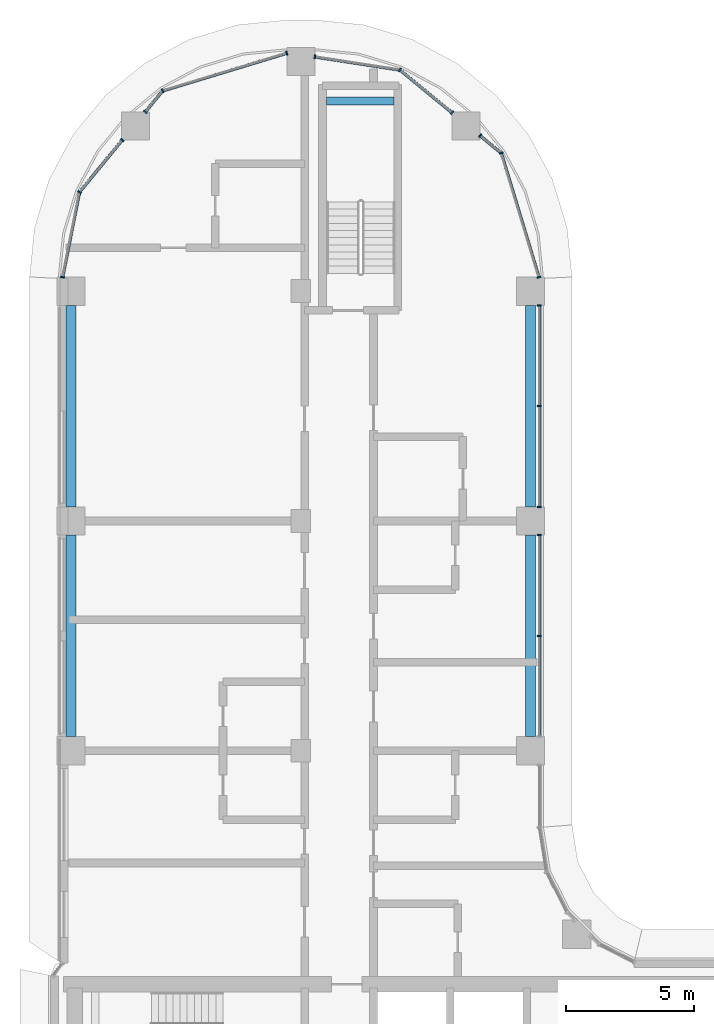
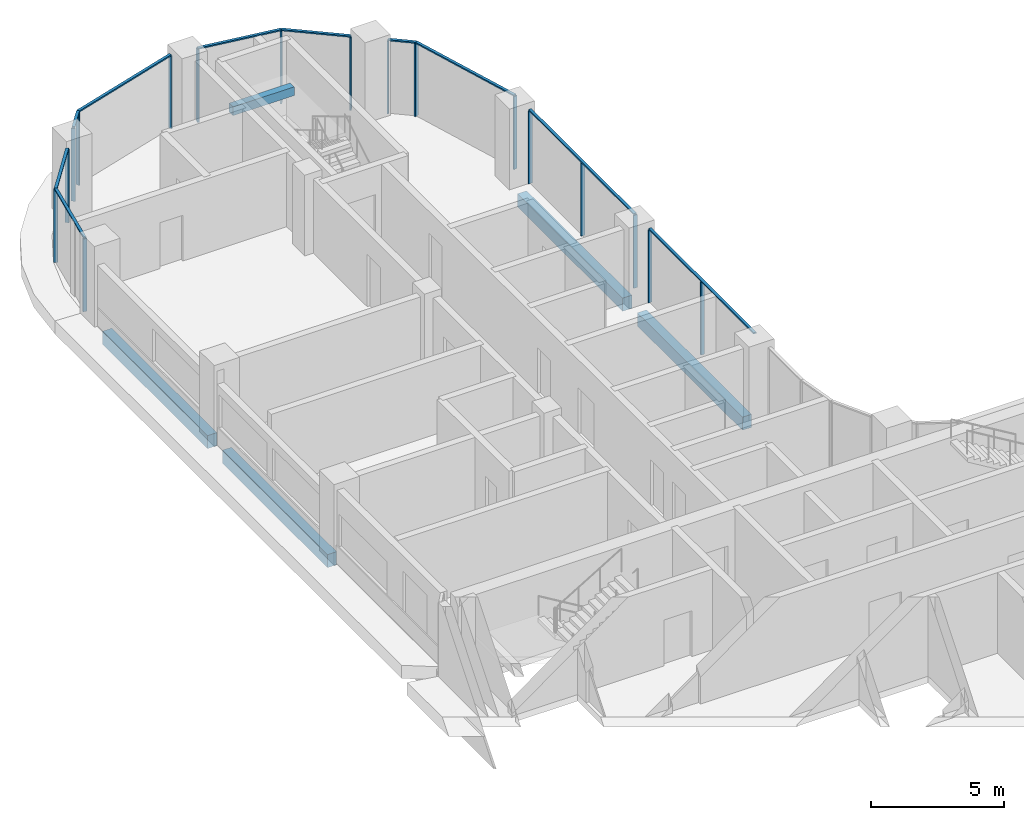
# One storey, part 5 of 24: 27 members, 5 beams, 6 elements without a shape of their own.
"""IFC4 building model written with IfcOpenShell, lengths in metres."""

from ifc_helpers import new_model, si_unit, direction, frame, origin, origin_2d, place, context, subcontext, project, spatial, rectangle, extrude, material, material_profile, profile_set, type_object, element, aggregate, save


model = new_model("IFC4")

# Units and contexts
model_context = context("Model", 3, precision=1e-05, world=origin(), true_north=direction((0.0, 1.0)))
body_context = subcontext(model_context, "Body", "Model", "MODEL_VIEW")
ifc_project = project(units=[si_unit("LENGTHUNIT", "METRE"), si_unit("AREAUNIT", "SQUARE_METRE"), si_unit("VOLUMEUNIT", "CUBIC_METRE"), si_unit("PLANEANGLEUNIT", "RADIAN"), si_unit("MASSUNIT", "GRAM", prefix="KILO")], contexts=[model_context])

# Site, building, storey
site_placement = place(None, origin())
site = spatial("IfcSite", under=ifc_project, at=site_placement, CompositionType="ELEMENT")
building_placement = place(site_placement, origin())
building = spatial("IfcBuilding", under=site, at=building_placement, Name="Ogive Portal Towers", CompositionType="ELEMENT")
storey_placement = place(building_placement, frame((0.0, 0.0, 153.300048828125)))
storey = spatial("IfcBuildingStorey", under=building, at=storey_placement, Name="L37", CompositionType="ELEMENT", Elevation=153.300048828125)

# Beam
ifc_material_1 = material(Name="Concrete C40/50", Category="concrete")
ifc_material_profile_1 = material_profile(ifc_material_1, rectangle(XDim=0.300048828125, YDim=0.39990234375, at=origin_2d()), Name="RC 300x400")
ifc_profile_set_1 = profile_set([ifc_material_profile_1], Name="Concrete C40/50")
beam_type_1 = type_object("IfcBeamType", Name="BEAM RC 300x400", PredefinedType="BEAM", material=ifc_profile_set_1)
beam_placement = place(storey_placement, frame((41.5, 73.949951171875, 1.449951171875), z_axis=(1.0, 0.0, 0.0), x_axis=(0.0, 1.0, 0.0)))
element("IfcBeam", 1, at=beam_placement, inside=storey, type_object=beam_type_1, Name="Landing beam L37", PredefinedType="BEAM", context=body_context, shape_type="SweptSolid", body=[
    extrude(rectangle(XDim=0.300048828125, YDim=0.39990234375, at=origin_2d()), origin(), (0.0, 0.0, 1.0), 2.64990234375),
])

# Curtain wall, members
ifc_material_2 = material(Name="Glass, clear low-iron insulated glazing", Category="glass")
curtain_wall_type = type_object("IfcCurtainWallType", Name="CW FRONT RIBBON 4500", PredefinedType="NOTDEFINED", material=ifc_material_2)
curtain_wall_1_placement = place(storey_placement, origin())
curtain_wall_1 = element("IfcCurtainWall", 2, at=curtain_wall_1_placement, inside=storey, type_object=curtain_wall_type, Name="A:L37:f06:cw0~1", PredefinedType="NOTDEFINED")
ifc_material_3 = material(Name="Aluminium 6063 anodised", Category="aluminium")
ifc_material_profile_2 = material_profile(ifc_material_3, rectangle(XDim=0.159912109375, YDim=0.06005859375, at=origin_2d()), Name="AL 60x160")
ifc_profile_set_2 = profile_set([ifc_material_profile_2], Name="Aluminium 6063 anodised")
member_type_1 = type_object("IfcMemberType", Name="CW MULLION 60x160", PredefinedType="MULLION", material=ifc_profile_set_2)
member_1_placement = place(storey_placement, frame((49.844970703125, 53.0, 0.0), z_axis=(0.0, 0.0, 1.0), x_axis=(-1.0, 0.0, 0.0)))
member_1 = element("IfcMember", 3, at=member_1_placement, type_object=member_type_1, Name="mullion", PredefinedType="MULLION", context=body_context, shape_type="SweptSolid", body=[
    extrude(rectangle(XDim=0.159912109375, YDim=0.06005859375, at=origin_2d()), origin(), (0.0, 0.0, 1.0), 3.33984375),
])
member_2_placement = place(storey_placement, frame((49.844970703125, 56.949951171875, 0.0), z_axis=(0.0, 0.0, 1.0), x_axis=(-1.0, 0.0, 0.0)))
member_2 = element("IfcMember", 4, at=member_2_placement, type_object=member_type_1, Name="mullion", PredefinedType="MULLION", context=body_context, shape_type="SweptSolid", body=[
    extrude(rectangle(XDim=0.159912109375, YDim=0.06005859375, at=origin_2d()), origin(), (0.0, 0.0, 1.0), 3.33984375),
])

curtain_wall_2_placement = place(storey_placement, origin())
curtain_wall_2 = element("IfcCurtainWall", 5, at=curtain_wall_2_placement, inside=storey, type_object=curtain_wall_type, Name="A:L37:f06:cw0~2", PredefinedType="NOTDEFINED")
member_3_placement = place(storey_placement, frame((49.844970703125, 58.050048828125, 0.0), z_axis=(0.0, 0.0, 1.0), x_axis=(-1.0, 0.0, 0.0)))
member_3 = element("IfcMember", 6, at=member_3_placement, type_object=member_type_1, Name="mullion", PredefinedType="MULLION", context=body_context, shape_type="SweptSolid", body=[
    extrude(rectangle(XDim=0.159912109375, YDim=0.06005859375, at=origin_2d()), origin(), (0.0, 0.0, 1.0), 3.33984375),
])
member_4_placement = place(storey_placement, frame((49.844970703125, 62.0, 0.0), z_axis=(0.0, 0.0, 1.0), x_axis=(-1.0, 0.0, 0.0)))
member_4 = element("IfcMember", 7, at=member_4_placement, type_object=member_type_1, Name="mullion", PredefinedType="MULLION", context=body_context, shape_type="SweptSolid", body=[
    extrude(rectangle(XDim=0.159912109375, YDim=0.06005859375, at=origin_2d()), origin(), (0.0, 0.0, 1.0), 3.33984375),
])
member_5_placement = place(storey_placement, frame((49.844970703125, 65.949951171875, 0.0), z_axis=(0.0, 0.0, 1.0), x_axis=(-1.0, 0.0, 0.0)))
member_5 = element("IfcMember", 8, at=member_5_placement, type_object=member_type_1, Name="mullion", PredefinedType="MULLION", context=body_context, shape_type="SweptSolid", body=[
    extrude(rectangle(XDim=0.159912109375, YDim=0.06005859375, at=origin_2d()), origin(), (0.0, 0.0, 1.0), 3.33984375),
])

curtain_wall_3_placement = place(storey_placement, origin())
curtain_wall_3 = element("IfcCurtainWall", 9, at=curtain_wall_3_placement, inside=storey, type_object=curtain_wall_type, Name="A:L37:f07:cwa~0", PredefinedType="NOTDEFINED")
member_6_placement = place(storey_placement, frame((49.826171875, 67.050048828125, 0.0), z_axis=(0.0, 0.0, 1.0), x_axis=(-0.956940335732, -0.290284677254, 0.0)))
member_6 = element("IfcMember", 10, at=member_6_placement, type_object=member_type_1, Name="mullion", PredefinedType="MULLION", context=body_context, shape_type="SweptSolid", body=[
    extrude(rectangle(XDim=0.159912109375, YDim=0.06005859375, at=origin_2d()), origin(), (0.0, 0.0, 1.0), 3.33984375),
])
member_7_placement = place(storey_placement, frame((48.351318359375, 71.912109375, 0.0), z_axis=(0.0, 0.0, 1.0), x_axis=(-0.956940335732, -0.290284677254, 0.0)))
member_7 = element("IfcMember", 11, at=member_7_placement, type_object=member_type_1, Name="mullion", PredefinedType="MULLION", context=body_context, shape_type="SweptSolid", body=[
    extrude(rectangle(XDim=0.159912109375, YDim=0.06005859375, at=origin_2d()), origin(), (0.0, 0.0, 1.0), 3.33984375),
])
member_8_placement = place(storey_placement, frame((47.52294921875, 72.591796875, 0.0), z_axis=(0.0, 0.0, 1.0), x_axis=(-0.634393284164, -0.773010453363, 0.0)))
member_8 = element("IfcMember", 12, at=member_8_placement, type_object=member_type_1, Name="mullion", PredefinedType="MULLION", context=body_context, shape_type="SweptSolid", body=[
    extrude(rectangle(XDim=0.159912109375, YDim=0.06005859375, at=origin_2d()), origin(), (0.0, 0.0, 1.0), 3.33984375),
])

curtain_wall_4_placement = place(storey_placement, origin())
curtain_wall_4 = element("IfcCurtainWall", 13, at=curtain_wall_4_placement, inside=storey, type_object=curtain_wall_type, Name="A:L37:f07:cwa~1", PredefinedType="NOTDEFINED")
member_9_placement = place(storey_placement, frame((46.423095703125, 73.49462890625, 0.0), z_axis=(0.0, 0.0, 1.0), x_axis=(-0.634393284164, -0.773010453363, 0.0)))
member_9 = element("IfcMember", 14, at=member_9_placement, type_object=member_type_1, Name="mullion", PredefinedType="MULLION", context=body_context, shape_type="SweptSolid", body=[
    extrude(rectangle(XDim=0.159912109375, YDim=0.06005859375, at=origin_2d()), origin(), (0.0, 0.0, 1.0), 3.33984375),
])
member_10_placement = place(storey_placement, frame((44.381591796875, 75.169921875, 0.0), z_axis=(0.0, 0.0, 1.0), x_axis=(-0.634393284164, -0.773010453363, 0.0)))
member_10 = element("IfcMember", 15, at=member_10_placement, type_object=member_type_1, Name="mullion", PredefinedType="MULLION", context=body_context, shape_type="SweptSolid", body=[
    extrude(rectangle(XDim=0.159912109375, YDim=0.06005859375, at=origin_2d()), origin(), (0.0, 0.0, 1.0), 3.33984375),
])
member_11_placement = place(storey_placement, frame((41.050048828125, 75.6826171875, 0.0), z_axis=(0.0, 0.0, 1.0), x_axis=(-0.15207363432, -0.988369166731, 0.0)))
member_11 = element("IfcMember", 16, at=member_11_placement, type_object=member_type_1, Name="mullion", PredefinedType="MULLION", context=body_context, shape_type="SweptSolid", body=[
    extrude(rectangle(XDim=0.159912109375, YDim=0.06005859375, at=origin_2d()), origin(), (0.0, 0.0, 1.0), 3.33984375),
])

curtain_wall_5_placement = place(storey_placement, origin())
curtain_wall_5 = element("IfcCurtainWall", 17, at=curtain_wall_5_placement, inside=storey, type_object=curtain_wall_type, Name="A:L37:f07:cwa~2", PredefinedType="NOTDEFINED")
member_12_placement = place(storey_placement, frame((39.949951171875, 75.826171875, 0.0), z_axis=(0.0, 0.0, 1.0), x_axis=(0.290284677254, -0.956940335732, 0.0)))
member_12 = element("IfcMember", 18, at=member_12_placement, type_object=member_type_1, Name="mullion", PredefinedType="MULLION", context=body_context, shape_type="SweptSolid", body=[
    extrude(rectangle(XDim=0.159912109375, YDim=0.06005859375, at=origin_2d()), origin(), (0.0, 0.0, 1.0), 3.33984375),
])
member_13_placement = place(storey_placement, frame((35.087890625, 74.351318359375, 0.0), z_axis=(0.0, 0.0, 1.0), x_axis=(0.290284677254, -0.956940335732, 0.0)))
member_13 = element("IfcMember", 19, at=member_13_placement, type_object=member_type_1, Name="mullion", PredefinedType="MULLION", context=body_context, shape_type="SweptSolid", body=[
    extrude(rectangle(XDim=0.159912109375, YDim=0.06005859375, at=origin_2d()), origin(), (0.0, 0.0, 1.0), 3.33984375),
])
member_14_placement = place(storey_placement, frame((34.408203125, 73.52294921875, 0.0), z_axis=(0.0, 0.0, 1.0), x_axis=(0.773010453363, -0.634393284164, 0.0)))
member_14 = element("IfcMember", 20, at=member_14_placement, type_object=member_type_1, Name="mullion", PredefinedType="MULLION", context=body_context, shape_type="SweptSolid", body=[
    extrude(rectangle(XDim=0.159912109375, YDim=0.06005859375, at=origin_2d()), origin(), (0.0, 0.0, 1.0), 3.33984375),
])

curtain_wall_6_placement = place(storey_placement, origin())
curtain_wall_6 = element("IfcCurtainWall", 21, at=curtain_wall_6_placement, inside=storey, type_object=curtain_wall_type, Name="A:L37:f07:cwa~3", PredefinedType="NOTDEFINED")
member_15_placement = place(storey_placement, frame((33.50537109375, 72.423095703125, 0.0), z_axis=(0.0, 0.0, 1.0), x_axis=(0.773010453363, -0.634393284164, 0.0)))
member_15 = element("IfcMember", 22, at=member_15_placement, type_object=member_type_1, Name="mullion", PredefinedType="MULLION", context=body_context, shape_type="SweptSolid", body=[
    extrude(rectangle(XDim=0.159912109375, YDim=0.06005859375, at=origin_2d()), origin(), (0.0, 0.0, 1.0), 3.33984375),
])
member_16_placement = place(storey_placement, frame((31.828857421875, 70.380126953125, 0.0), z_axis=(0.0, 0.0, 1.0), x_axis=(0.773010453363, -0.634393284164, 0.0)))
member_16 = element("IfcMember", 23, at=member_16_placement, type_object=member_type_1, Name="mullion", PredefinedType="MULLION", context=body_context, shape_type="SweptSolid", body=[
    extrude(rectangle(XDim=0.159912109375, YDim=0.06005859375, at=origin_2d()), origin(), (0.0, 0.0, 1.0), 3.33984375),
])
member_17_placement = place(storey_placement, frame((31.16650390625, 67.050048828125, 0.0), z_axis=(0.0, 0.0, 1.0), x_axis=(0.980785280403, -0.195090322016, 0.0)))
member_17 = element("IfcMember", 24, at=member_17_placement, type_object=member_type_1, Name="mullion", PredefinedType="MULLION", context=body_context, shape_type="SweptSolid", body=[
    extrude(rectangle(XDim=0.159912109375, YDim=0.06005859375, at=origin_2d()), origin(), (0.0, 0.0, 1.0), 3.33984375),
])

# Member
ifc_material_profile_3 = material_profile(ifc_material_3, rectangle(XDim=0.1201171875, YDim=0.06005859375, at=origin_2d()), Name="AL 120x60")
ifc_profile_set_3 = profile_set([ifc_material_profile_3], Name="Aluminium 6063 anodised")
member_type_2 = type_object("IfcMemberType", Name="CW TRANSOM 60x120", PredefinedType="USERDEFINED", material=ifc_profile_set_3)
member_18_placement = place(storey_placement, frame((49.844970703125, 49.050048828125, 3.369873046875), z_axis=(0.0, 1.0, 0.0), x_axis=(-1.0, 0.0, 0.0)))
member_18 = element("IfcMember", 25, at=member_18_placement, type_object=member_type_2, Name="transom", ObjectType="TRANSOM", PredefinedType="USERDEFINED", context=body_context, shape_type="SweptSolid", body=[
    extrude(rectangle(XDim=0.1201171875, YDim=0.06005859375, at=origin_2d()), origin(), (0.0, 0.0, 1.0), 7.89990234375),
])

aggregate(curtain_wall_1, [member_18, member_1, member_2])

member_19_placement = place(storey_placement, frame((49.844970703125, 58.050048828125, 3.369873046875), z_axis=(0.0, 1.0, 0.0), x_axis=(-1.0, 0.0, 0.0)))
member_19 = element("IfcMember", 26, at=member_19_placement, type_object=member_type_2, Name="transom", ObjectType="TRANSOM", PredefinedType="USERDEFINED", context=body_context, shape_type="SweptSolid", body=[
    extrude(rectangle(XDim=0.1201171875, YDim=0.06005859375, at=origin_2d()), origin(), (0.0, 0.0, 1.0), 7.89990234375),
])

aggregate(curtain_wall_2, [member_19, member_3, member_4, member_5])

member_20_placement = place(storey_placement, frame((49.826171875, 67.050048828125, 3.369873046875), z_axis=(-0.29027811193, 0.956942327277, 0.0), x_axis=(-0.956942327277, -0.29027811193, 0.0)))
member_20 = element("IfcMember", 27, at=member_20_placement, type_object=member_type_2, Name="transom", ObjectType="TRANSOM", PredefinedType="USERDEFINED", context=body_context, shape_type="SweptSolid", body=[
    extrude(rectangle(XDim=0.1201171875, YDim=0.06005859375, at=origin_2d()), origin(), (0.0, 0.0, 1.0), 5.080810546875),
])

member_21_placement = place(storey_placement, frame((48.351318359375, 71.912109375, 3.369873046875), z_axis=(-0.773073370483, 0.634316611678, 0.0), x_axis=(-0.634316611678, -0.773073370483, 0.0)))
member_21 = element("IfcMember", 28, at=member_21_placement, type_object=member_type_2, Name="transom", ObjectType="TRANSOM", PredefinedType="USERDEFINED", context=body_context, shape_type="SweptSolid", body=[
    extrude(rectangle(XDim=0.1201171875, YDim=0.06005859375, at=origin_2d()), origin(), (0.0, 0.0, 1.0), 1.071533203125),
])

aggregate(curtain_wall_3, [member_20, member_21, member_6, member_7, member_8])

member_22_placement = place(storey_placement, frame((46.423095703125, 73.49462890625, 3.369873046875), z_axis=(-0.773033847843, 0.634364776835, 0.0), x_axis=(-0.634364776835, -0.773033847843, 0.0)))
member_22 = element("IfcMember", 29, at=member_22_placement, type_object=member_type_2, Name="transom", ObjectType="TRANSOM", PredefinedType="USERDEFINED", context=body_context, shape_type="SweptSolid", body=[
    extrude(rectangle(XDim=0.1201171875, YDim=0.06005859375, at=origin_2d()), origin(), (0.0, 0.0, 1.0), 2.640869140625),
])

member_23_placement = place(storey_placement, frame((44.381591796875, 75.169921875, 3.369873046875), z_axis=(-0.988364998063, 0.152100725189, 0.0), x_axis=(-0.152100725189, -0.988364998063, 0.0)))
member_23 = element("IfcMember", 30, at=member_23_placement, type_object=member_type_2, Name="transom", ObjectType="TRANSOM", PredefinedType="USERDEFINED", context=body_context, shape_type="SweptSolid", body=[
    extrude(rectangle(XDim=0.1201171875, YDim=0.06005859375, at=origin_2d()), origin(), (0.0, 0.0, 1.0), 3.370849609375),
])

aggregate(curtain_wall_4, [member_22, member_23, member_9, member_10, member_11])

member_24_placement = place(storey_placement, frame((39.949951171875, 75.826171875, 3.369873046875), z_axis=(-0.956942327277, -0.29027811193, 0.0), x_axis=(0.29027811193, -0.956942327277, 0.0)))
member_24 = element("IfcMember", 31, at=member_24_placement, type_object=member_type_2, Name="transom", ObjectType="TRANSOM", PredefinedType="USERDEFINED", context=body_context, shape_type="SweptSolid", body=[
    extrude(rectangle(XDim=0.1201171875, YDim=0.06005859375, at=origin_2d()), origin(), (0.0, 0.0, 1.0), 5.080810546875),
])

member_25_placement = place(storey_placement, frame((35.087890625, 74.351318359375, 3.369873046875), z_axis=(-0.634316611678, -0.773073370483, 0.0), x_axis=(0.773073370483, -0.634316611678, 0.0)))
member_25 = element("IfcMember", 32, at=member_25_placement, type_object=member_type_2, Name="transom", ObjectType="TRANSOM", PredefinedType="USERDEFINED", context=body_context, shape_type="SweptSolid", body=[
    extrude(rectangle(XDim=0.1201171875, YDim=0.06005859375, at=origin_2d()), origin(), (0.0, 0.0, 1.0), 1.071533203125),
])

aggregate(curtain_wall_5, [member_24, member_25, member_12, member_13, member_14])

member_26_placement = place(storey_placement, frame((33.50537109375, 72.423095703125, 3.369873046875), z_axis=(-0.634368988768, -0.773030391439, 0.0), x_axis=(0.773030391439, -0.634368988768, 0.0)))
member_26 = element("IfcMember", 33, at=member_26_placement, type_object=member_type_2, Name="transom", ObjectType="TRANSOM", PredefinedType="USERDEFINED", context=body_context, shape_type="SweptSolid", body=[
    extrude(rectangle(XDim=0.1201171875, YDim=0.06005859375, at=origin_2d()), origin(), (0.0, 0.0, 1.0), 2.642822265625),
])

member_27_placement = place(storey_placement, frame((31.828857421875, 70.380126953125, 3.369873046875), z_axis=(-0.195078930567, -0.980787546235, 0.0), x_axis=(0.980787546235, -0.195078930567, 0.0)))
member_27 = element("IfcMember", 34, at=member_27_placement, type_object=member_type_2, Name="transom", ObjectType="TRANSOM", PredefinedType="USERDEFINED", context=body_context, shape_type="SweptSolid", body=[
    extrude(rectangle(XDim=0.1201171875, YDim=0.06005859375, at=origin_2d()), origin(), (0.0, 0.0, 1.0), 3.395263671875),
])

aggregate(curtain_wall_6, [member_26, member_27, member_15, member_16, member_17])

# Beams
ifc_material_profile_4 = material_profile(ifc_material_1, rectangle(XDim=0.39990234375, YDim=0.60009765625, at=origin_2d()), Name="RC 400x600")
ifc_profile_set_4 = profile_set([ifc_material_profile_4], Name="Concrete C40/50")
beam_type_2 = type_object("IfcBeamType", Name="SPANDREL BEAM RC 400x600", PredefinedType="BEAM", material=ifc_profile_set_4)
for number, where, z_axis, x_axis, name in (
    (35, (31.5, 49.050048828125, -0.60009765625), (0.0, 1.0, 0.0), (-1.0, 0.0, 0.0), "Spandrel beam L37"),
    (36, (31.5, 58.050048828125, -0.60009765625), (0.0, 1.0, 0.0), (-1.0, 0.0, 0.0), "Spandrel beam L37"),
    (37, (49.5, 65.949951171875, -0.60009765625), (0.0, -1.0, 0.0), (1.0, 0.0, 0.0), "Spandrel beam L37"),
    (38, (49.5, 56.949951171875, -0.60009765625), (0.0, -1.0, 0.0), (1.0, 0.0, 0.0), "Spandrel beam L37"),
):
    element("IfcBeam", number, at=place(storey_placement, frame(where, z_axis=z_axis, x_axis=x_axis)), inside=storey, type_object=beam_type_2, Name=name, PredefinedType="BEAM", context=body_context, shape_type="SweptSolid", body=[
        extrude(rectangle(XDim=0.39990234375, YDim=0.60009765625, at=origin_2d()), origin(), (0.0, 0.0, 1.0), 7.89990234375),
    ])

save(model, "model.ifc")
